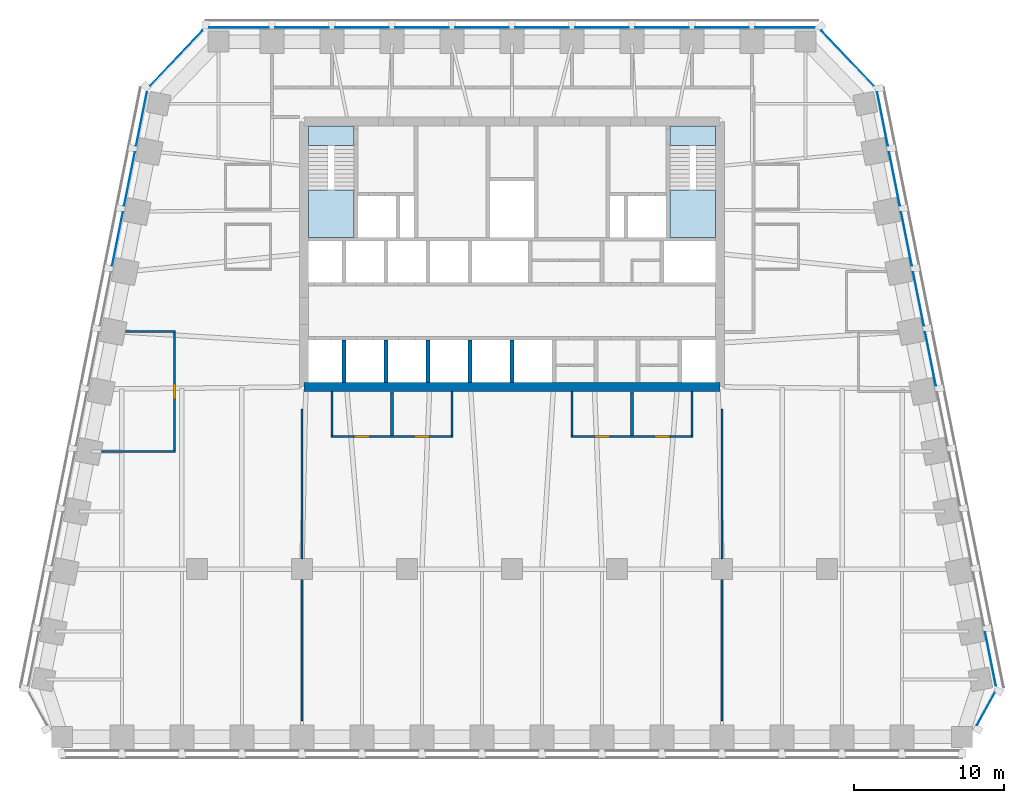
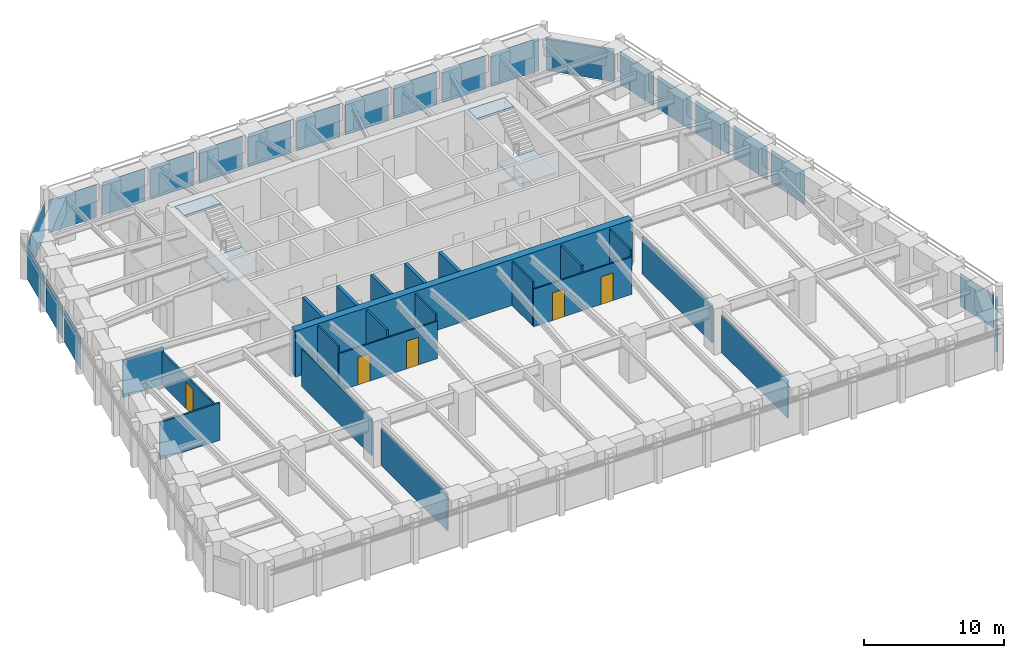
# One storey, part 5 of 10: 22 plates, 21 walls, 5 doors, 4 slabs, 5 openings, 8 elements without a shape of their own.
"""IFC4 building model written with IfcOpenShell, lengths in metres."""

from ifc_helpers import new_model, si_unit, direction, frame, frame_2d, origin, origin_2d, place, context, subcontext, project, spatial, polyline, rectangle, outline, extrude, material, layer, layer_set, type_object, element, fill, aggregate, save


model = new_model("IFC4")

# Units and contexts
model_context = context("Model", 3, precision=1e-05, world=origin(), true_north=direction((0.0, 1.0)))
body_context = subcontext(model_context, "Body", "Model", "MODEL_VIEW")
ifc_project = project(units=[si_unit("LENGTHUNIT", "METRE"), si_unit("AREAUNIT", "SQUARE_METRE"), si_unit("VOLUMEUNIT", "CUBIC_METRE"), si_unit("PLANEANGLEUNIT", "RADIAN"), si_unit("MASSUNIT", "GRAM", prefix="KILO")], contexts=[model_context])

# Site, building, storey
site_placement = place(None, origin())
site = spatial("IfcSite", under=ifc_project, at=site_placement, CompositionType="ELEMENT")
building_placement = place(site_placement, origin())
building = spatial("IfcBuilding", under=site, at=building_placement, Name="Isbrekke Arena Tower", CompositionType="ELEMENT")
storey_placement = place(building_placement, frame((0.0, 0.0, 214.0)))
storey = spatial("IfcBuildingStorey", under=building, at=storey_placement, Name="L49", CompositionType="ELEMENT", Elevation=214.0)

# Curtain wall, plate
ifc_material_1 = material(Name="Glazed aluminium curtain wall", Category="aluminium")
curtain_wall_type = type_object("IfcCurtainWallType", Name="CWH TOWER CURTAIN WALL HIGH ZONE", PredefinedType="USERDEFINED", material=ifc_material_1)
curtain_wall_1_placement = place(storey_placement, origin())
curtain_wall_1 = element("IfcCurtainWall", 1, at=curtain_wall_1_placement, inside=storey, type_object=curtain_wall_type, Name="CWH curtain wall L49-SE", ObjectType="TOWER CURTAIN WALL HIGH ZONE", PredefinedType="USERDEFINED")
ifc_material_2 = material(Name="Triple-glazed clear glass unit", Category="glass")
ifc_layer_1 = layer(ifc_material_2, 0.031982421875)
ifc_layer_set_1 = layer_set([ifc_layer_1], Name="CWH-P VISION PANEL")
plate_type = type_object("IfcPlateType", Name="CWH-P VISION PANEL", PredefinedType="CURTAIN_PANEL", material=ifc_layer_set_1)
plate_1_placement = place(storey_placement, frame((31.5908203125, -15.3154296875, 0.02001953125), z_axis=(0.0, 0.0, 1.0), x_axis=(0.481918749773, 0.876215908676, 0.0)))
plate_1 = element("IfcPlate", 2, at=plate_1_placement, type_object=plate_type, Name="CWH-P panel 1", PredefinedType="CURTAIN_PANEL", context=body_context, shape_type="SweptSolid", body=[
    extrude(rectangle(XDim=2.4423828125, YDim=0.031982421875, at=origin_2d()), origin(), (0.0, 0.0, 1.0), 2.8798828125),
])
aggregate(curtain_wall_1, [plate_1])

# Curtain wall, plates
curtain_wall_2_placement = place(storey_placement, origin())
curtain_wall_2 = element("IfcCurtainWall", 3, at=curtain_wall_2_placement, inside=storey, type_object=curtain_wall_type, Name="CWH curtain wall L49-E", ObjectType="TOWER CURTAIN WALL HIGH ZONE", PredefinedType="USERDEFINED")
plate_2_placement = place(storey_placement, frame((31.89794921875, -11.98046875, 0.02001953125), z_axis=(0.0, 0.0, 1.0), x_axis=(-0.196116135138, 0.980580675691, 0.0)))
plate_2 = element("IfcPlate", 4, at=plate_2_placement, type_object=plate_type, Name="CWH-P panel 1", PredefinedType="CURTAIN_PANEL", context=body_context, shape_type="SweptSolid", body=[
    extrude(rectangle(XDim=3.629150390625, YDim=0.031982421875, at=origin_2d()), origin(), (0.0, 0.0, 1.0), 2.8798828125),
])
plate_3_placement = place(storey_placement, frame((27.89794921875, 8.01953125, 0.02001953125), z_axis=(0.0, 0.0, 1.0), x_axis=(-0.196116135138, 0.980580675691, 0.0)))
plate_3 = element("IfcPlate", 5, at=plate_3_placement, type_object=plate_type, Name="CWH-P panel 6", PredefinedType="CURTAIN_PANEL", context=body_context, shape_type="SweptSolid", body=[
    extrude(rectangle(XDim=3.629150390625, YDim=0.031982421875, at=origin_2d()), origin(), (0.0, 0.0, 1.0), 2.8798828125),
])
plate_4_placement = place(storey_placement, frame((27.09814453125, 12.01953125, 0.02001953125), z_axis=(0.0, 0.0, 1.0), x_axis=(-0.196116135138, 0.980580675691, 0.0)))
plate_4 = element("IfcPlate", 6, at=plate_4_placement, type_object=plate_type, Name="CWH-P panel 7", PredefinedType="CURTAIN_PANEL", context=body_context, shape_type="SweptSolid", body=[
    extrude(rectangle(XDim=3.629150390625, YDim=0.031982421875, at=origin_2d()), origin(), (0.0, 0.0, 1.0), 2.8798828125),
])
plate_5_placement = place(storey_placement, frame((26.298095703125, 16.01953125, 0.02001953125), z_axis=(0.0, 0.0, 1.0), x_axis=(-0.196116135138, 0.980580675691, 0.0)))
plate_5 = element("IfcPlate", 7, at=plate_5_placement, type_object=plate_type, Name="CWH-P panel 8", PredefinedType="CURTAIN_PANEL", context=body_context, shape_type="SweptSolid", body=[
    extrude(rectangle(XDim=3.629150390625, YDim=0.031982421875, at=origin_2d()), origin(), (0.0, 0.0, 1.0), 2.8798828125),
])
plate_6_placement = place(storey_placement, frame((25.498046875, 20.01953125, 0.02001953125), z_axis=(0.0, 0.0, 1.0), x_axis=(-0.196116135138, 0.980580675691, 0.0)))
plate_6 = element("IfcPlate", 8, at=plate_6_placement, type_object=plate_type, Name="CWH-P panel 9", PredefinedType="CURTAIN_PANEL", context=body_context, shape_type="SweptSolid", body=[
    extrude(rectangle(XDim=3.629150390625, YDim=0.031982421875, at=origin_2d()), origin(), (0.0, 0.0, 1.0), 2.8798828125),
])
plate_7_placement = place(storey_placement, frame((24.697998046875, 24.01953125, 0.02001953125), z_axis=(0.0, 0.0, 1.0), x_axis=(-0.196116135138, 0.980580675691, 0.0)))
plate_7 = element("IfcPlate", 9, at=plate_7_placement, type_object=plate_type, Name="CWH-P panel 10", PredefinedType="CURTAIN_PANEL", context=body_context, shape_type="SweptSolid", body=[
    extrude(rectangle(XDim=3.629150390625, YDim=0.031982421875, at=origin_2d()), origin(), (0.0, 0.0, 1.0), 2.8798828125),
])
aggregate(curtain_wall_2, [plate_2, plate_3, plate_4, plate_5, plate_6, plate_7])

# Curtain wall, plate
curtain_wall_3_placement = place(storey_placement, origin())
curtain_wall_3 = element("IfcCurtainWall", 10, at=curtain_wall_3_placement, inside=storey, type_object=curtain_wall_type, Name="CWH curtain wall L49-EN", ObjectType="TOWER CURTAIN WALL HIGH ZONE", PredefinedType="USERDEFINED")
plate_8_placement = place(storey_placement, frame((22.37255859375, 28.06884765625, 0.02001953125), z_axis=(0.0, 0.0, 1.0), x_axis=(-0.68874946192, 0.72499943359, 0.0)))
plate_8 = element("IfcPlate", 11, at=plate_8_placement, type_object=plate_type, Name="CWH-P panel 1", PredefinedType="CURTAIN_PANEL", context=body_context, shape_type="SweptSolid", body=[
    extrude(rectangle(XDim=5.067138671875, YDim=0.031982421875, at=origin_2d()), origin(), (0.0, 0.0, 1.0), 2.8798828125),
])
aggregate(curtain_wall_3, [plate_8])

# Curtain wall, plates
curtain_wall_4_placement = place(storey_placement, origin())
curtain_wall_4 = element("IfcCurtainWall", 12, at=curtain_wall_4_placement, inside=storey, type_object=curtain_wall_type, Name="CWH curtain wall L49-N", ObjectType="TOWER CURTAIN WALL HIGH ZONE", PredefinedType="USERDEFINED")
plate_9_placement = place(storey_placement, frame((18.199951171875, 30.10009765625, 0.02001953125), z_axis=(0.0, 0.0, 1.0), x_axis=(-1.0, 0.0, 0.0)))
plate_9 = element("IfcPlate", 13, at=plate_9_placement, type_object=plate_type, Name="CWH-P panel 1", PredefinedType="CURTAIN_PANEL", context=body_context, shape_type="SweptSolid", body=[
    extrude(rectangle(XDim=3.949951171875, YDim=0.031982421875, at=origin_2d()), origin(), (0.0, 0.0, 1.0), 2.8798828125),
])
plate_10_placement = place(storey_placement, frame((14.0, 30.10009765625, 0.02001953125), z_axis=(0.0, 0.0, 1.0), x_axis=(-1.0, 0.0, 0.0)))
plate_10 = element("IfcPlate", 14, at=plate_10_placement, type_object=plate_type, Name="CWH-P panel 2", PredefinedType="CURTAIN_PANEL", context=body_context, shape_type="SweptSolid", body=[
    extrude(rectangle(XDim=3.550048828125, YDim=0.031982421875, at=origin_2d()), origin(), (0.0, 0.0, 1.0), 2.8798828125),
])
plate_11_placement = place(storey_placement, frame((10.0, 30.10009765625, 0.02001953125), z_axis=(0.0, 0.0, 1.0), x_axis=(-1.0, 0.0, 0.0)))
plate_11 = element("IfcPlate", 15, at=plate_11_placement, type_object=plate_type, Name="CWH-P panel 3", PredefinedType="CURTAIN_PANEL", context=body_context, shape_type="SweptSolid", body=[
    extrude(rectangle(XDim=3.550048828125, YDim=0.031982421875, at=origin_2d()), origin(), (0.0, 0.0, 1.0), 2.8798828125),
])
plate_12_placement = place(storey_placement, frame((6.0, 30.10009765625, 0.02001953125), z_axis=(0.0, 0.0, 1.0), x_axis=(-1.0, 0.0, 0.0)))
plate_12 = element("IfcPlate", 16, at=plate_12_placement, type_object=plate_type, Name="CWH-P panel 4", PredefinedType="CURTAIN_PANEL", context=body_context, shape_type="SweptSolid", body=[
    extrude(rectangle(XDim=3.550048828125, YDim=0.031982421875, at=origin_2d()), origin(), (0.0, 0.0, 1.0), 2.8798828125),
])
plate_13_placement = place(storey_placement, frame((2.0, 30.10009765625, 0.02001953125), z_axis=(0.0, 0.0, 1.0), x_axis=(-1.0, 0.0, 0.0)))
plate_13 = element("IfcPlate", 17, at=plate_13_placement, type_object=plate_type, Name="CWH-P panel 5", PredefinedType="CURTAIN_PANEL", context=body_context, shape_type="SweptSolid", body=[
    extrude(rectangle(XDim=3.550048828125, YDim=0.031982421875, at=origin_2d()), origin(), (0.0, 0.0, 1.0), 2.8798828125),
])
plate_14_placement = place(storey_placement, frame((-2.0, 30.10009765625, 0.02001953125), z_axis=(0.0, 0.0, 1.0), x_axis=(-1.0, 0.0, 0.0)))
plate_14 = element("IfcPlate", 18, at=plate_14_placement, type_object=plate_type, Name="CWH-P panel 6", PredefinedType="CURTAIN_PANEL", context=body_context, shape_type="SweptSolid", body=[
    extrude(rectangle(XDim=3.550048828125, YDim=0.031982421875, at=origin_2d()), origin(), (0.0, 0.0, 1.0), 2.8798828125),
])
plate_15_placement = place(storey_placement, frame((-6.0, 30.10009765625, 0.02001953125), z_axis=(0.0, 0.0, 1.0), x_axis=(-1.0, 0.0, 0.0)))
plate_15 = element("IfcPlate", 19, at=plate_15_placement, type_object=plate_type, Name="CWH-P panel 7", PredefinedType="CURTAIN_PANEL", context=body_context, shape_type="SweptSolid", body=[
    extrude(rectangle(XDim=3.550048828125, YDim=0.031982421875, at=origin_2d()), origin(), (0.0, 0.0, 1.0), 2.8798828125),
])
plate_16_placement = place(storey_placement, frame((-10.0, 30.10009765625, 0.02001953125), z_axis=(0.0, 0.0, 1.0), x_axis=(-1.0, 0.0, 0.0)))
plate_16 = element("IfcPlate", 20, at=plate_16_placement, type_object=plate_type, Name="CWH-P panel 8", PredefinedType="CURTAIN_PANEL", context=body_context, shape_type="SweptSolid", body=[
    extrude(rectangle(XDim=3.550048828125, YDim=0.031982421875, at=origin_2d()), origin(), (0.0, 0.0, 1.0), 2.8798828125),
])
plate_17_placement = place(storey_placement, frame((-14.0, 30.10009765625, 0.02001953125), z_axis=(0.0, 0.0, 1.0), x_axis=(-1.0, 0.0, 0.0)))
plate_17 = element("IfcPlate", 21, at=plate_17_placement, type_object=plate_type, Name="CWH-P panel 9", PredefinedType="CURTAIN_PANEL", context=body_context, shape_type="SweptSolid", body=[
    extrude(rectangle(XDim=3.550048828125, YDim=0.031982421875, at=origin_2d()), origin(), (0.0, 0.0, 1.0), 2.8798828125),
])
plate_18_placement = place(storey_placement, frame((-18.199951171875, 30.10009765625, 0.02001953125), z_axis=(0.0, 0.0, 1.0), x_axis=(-1.0, 0.0, 0.0)))
plate_18 = element("IfcPlate", 22, at=plate_18_placement, type_object=plate_type, Name="CWH-P panel 10", PredefinedType="CURTAIN_PANEL", context=body_context, shape_type="SweptSolid", body=[
    extrude(rectangle(XDim=3.949951171875, YDim=0.031982421875, at=origin_2d()), origin(), (0.0, 0.0, 1.0), 2.8798828125),
])
aggregate(curtain_wall_4, [plate_9, plate_10, plate_11, plate_12, plate_13, plate_14, plate_15, plate_16, plate_17, plate_18])

# Curtain wall, plate
curtain_wall_5_placement = place(storey_placement, origin())
curtain_wall_5 = element("IfcCurtainWall", 23, at=curtain_wall_5_placement, inside=storey, type_object=curtain_wall_type, Name="CWH curtain wall L49-NW", ObjectType="TOWER CURTAIN WALL HIGH ZONE", PredefinedType="USERDEFINED")
plate_19_placement = place(storey_placement, frame((-22.37255859375, 28.06884765625, 0.02001953125), z_axis=(0.0, 0.0, 1.0), x_axis=(-0.68874946192, -0.72499943359, 0.0)))
plate_19 = element("IfcPlate", 24, at=plate_19_placement, type_object=plate_type, Name="CWH-P panel 1", PredefinedType="CURTAIN_PANEL", context=body_context, shape_type="SweptSolid", body=[
    extrude(rectangle(XDim=5.067138671875, YDim=0.031982421875, at=origin_2d()), origin(), (0.0, 0.0, 1.0), 2.8798828125),
])
aggregate(curtain_wall_5, [plate_19])

# Curtain wall, plates
curtain_wall_6_placement = place(storey_placement, origin())
curtain_wall_6 = element("IfcCurtainWall", 25, at=curtain_wall_6_placement, inside=storey, type_object=curtain_wall_type, Name="CWH curtain wall L49-W", ObjectType="TOWER CURTAIN WALL HIGH ZONE", PredefinedType="USERDEFINED")
plate_20_placement = place(storey_placement, frame((-24.697998046875, 24.01953125, 0.02001953125), z_axis=(0.0, 0.0, 1.0), x_axis=(-0.196116135138, -0.980580675691, 0.0)))
plate_20 = element("IfcPlate", 26, at=plate_20_placement, type_object=plate_type, Name="CWH-P panel 1", PredefinedType="CURTAIN_PANEL", context=body_context, shape_type="SweptSolid", body=[
    extrude(rectangle(XDim=3.629150390625, YDim=0.031982421875, at=origin_2d()), origin(), (0.0, 0.0, 1.0), 2.8798828125),
])
plate_21_placement = place(storey_placement, frame((-25.498046875, 20.01953125, 0.02001953125), z_axis=(0.0, 0.0, 1.0), x_axis=(-0.196116135138, -0.980580675691, 0.0)))
plate_21 = element("IfcPlate", 27, at=plate_21_placement, type_object=plate_type, Name="CWH-P panel 2", PredefinedType="CURTAIN_PANEL", context=body_context, shape_type="SweptSolid", body=[
    extrude(rectangle(XDim=3.629150390625, YDim=0.031982421875, at=origin_2d()), origin(), (0.0, 0.0, 1.0), 2.8798828125),
])
plate_22_placement = place(storey_placement, frame((-26.298095703125, 16.01953125, 0.02001953125), z_axis=(0.0, 0.0, 1.0), x_axis=(-0.196116135138, -0.980580675691, 0.0)))
plate_22 = element("IfcPlate", 28, at=plate_22_placement, type_object=plate_type, Name="CWH-P panel 3", PredefinedType="CURTAIN_PANEL", context=body_context, shape_type="SweptSolid", body=[
    extrude(rectangle(XDim=3.629150390625, YDim=0.031982421875, at=origin_2d()), origin(), (0.0, 0.0, 1.0), 2.8798828125),
])
aggregate(curtain_wall_6, [plate_20, plate_21, plate_22])

# Stair, slabs
ifc_material_3 = material(Name="Concrete B45 (C45/55) precast", Category="concrete")
stair_type = type_object("IfcStairType", Name="ST40 STAIR 1300 WIDE, 24 RISERS 167", PredefinedType="HALF_TURN_STAIR", material=ifc_material_3)
stair_1_placement = place(storey_placement, origin())
stair_1 = element("IfcStair", 29, at=stair_1_placement, inside=storey, type_object=stair_type, Name="ST1 stair L49", PredefinedType="HALF_TURN_STAIR")
ifc_material_4 = material(Name="Concrete B35 (C35/45)", Category="concrete")
ifc_layer_2 = layer(ifc_material_4, 0.199951171875)
ifc_layer_set_2 = layer_set([ifc_layer_2], Name="SL1 STAIR LANDING 200")
slab_type = type_object("IfcSlabType", Name="SL1 STAIR LANDING 200", PredefinedType="LANDING", material=ifc_layer_set_2)
slab_1_placement = place(storey_placement, frame((0.0, 0.0, 1.800048828125)))
slab_1 = element("IfcSlab", 30, at=slab_1_placement, type_object=slab_type, Name="ST1 landing 1", PredefinedType="LANDING", context=body_context, shape_type="SweptSolid", body=[
    extrude(outline(polyline([(-13.550048828125, 16.125), (-10.52490234375, 16.125), (-10.52490234375, 19.280029296875), (-13.550048828125, 19.280029296875), (-13.550048828125, 16.125)])), origin(), (0.0, 0.0, 1.0), 0.199951171875),
])
slab_2_placement = place(storey_placement, frame((0.0, 0.0, 3.800048828125)))
slab_2 = element("IfcSlab", 31, at=slab_2_placement, type_object=slab_type, Name="ST1 landing 2", PredefinedType="LANDING", context=body_context, shape_type="SweptSolid", body=[
    extrude(outline(polyline([(-13.550048828125, 22.25), (-10.52490234375, 22.25), (-10.52490234375, 23.550048828125), (-13.550048828125, 23.550048828125), (-13.550048828125, 22.25)])), origin(), (0.0, 0.0, 1.0), 0.199951171875),
])
aggregate(stair_1, [slab_1, slab_2])

stair_2_placement = place(storey_placement, origin())
stair_2 = element("IfcStair", 32, at=stair_2_placement, inside=storey, type_object=stair_type, Name="ST2 stair L49", PredefinedType="HALF_TURN_STAIR")
slab_3_placement = place(storey_placement, frame((0.0, 0.0, 1.800048828125)))
slab_3 = element("IfcSlab", 33, at=slab_3_placement, type_object=slab_type, Name="ST2 landing 1", PredefinedType="LANDING", context=body_context, shape_type="SweptSolid", body=[
    extrude(outline(polyline([(10.52490234375, 16.125), (13.550048828125, 16.125), (13.550048828125, 19.280029296875), (10.52490234375, 19.280029296875), (10.52490234375, 16.125)])), origin(), (0.0, 0.0, 1.0), 0.199951171875),
])
slab_4_placement = place(storey_placement, frame((0.0, 0.0, 3.800048828125)))
slab_4 = element("IfcSlab", 34, at=slab_4_placement, type_object=slab_type, Name="ST2 landing 2", PredefinedType="LANDING", context=body_context, shape_type="SweptSolid", body=[
    extrude(outline(polyline([(10.52490234375, 22.25), (13.550048828125, 22.25), (13.550048828125, 23.550048828125), (10.52490234375, 23.550048828125), (10.52490234375, 22.25)])), origin(), (0.0, 0.0, 1.0), 0.199951171875),
])
aggregate(stair_2, [slab_3, slab_4])

# Walls
ifc_material_5 = material(Name="Concrete B55 (C55/67)", Category="concrete")
ifc_layer_3 = layer(ifc_material_5, 0.60009765625)
ifc_layer_set_3 = layer_set([ifc_layer_3], Name="CW4 CORE WALL 600")
wall_type_1 = type_object("IfcWallType", Name="CW4 CORE WALL 600", PredefinedType="SHEAR", material=ifc_layer_set_3)
wall_1_placement = place(storey_placement, frame((-13.85009765625, 6.14990234375, 0.0), z_axis=(0.0, 0.0, 1.0), x_axis=(1.0, 0.0, 0.0)))
element("IfcWall", 35, at=wall_1_placement, inside=storey, type_object=wall_type_1, Name="Core wall S L49", PredefinedType="SHEAR", context=body_context, shape_type="SweptSolid", body=[
    extrude(rectangle(XDim=27.7001953125, YDim=0.60009765625, at=frame_2d((13.85009765625, 0.0))), origin(), (0.0, 0.0, 1.0), 4.0),
])
ifc_material_6 = material(Name="Concrete B45 (C45/55)", Category="concrete")
ifc_layer_4 = layer(ifc_material_6, 0.25)
ifc_layer_set_4 = layer_set([ifc_layer_4], Name="CW6 SHAFT WALL 250")
wall_type_2 = type_object("IfcWallType", Name="CW6 SHAFT WALL 250", PredefinedType="SHEAR", material=ifc_layer_set_4)
for number, where, z_axis, x_axis, name in (
    (36, (-11.199951171875, 6.449951171875, 0.0), (0.0, 0.0, 1.0), (0.0, 1.0, 0.0), "Core wall SS01 L49"),
    (37, (-8.39990234375, 6.449951171875, 0.0), (0.0, 0.0, 1.0), (0.0, 1.0, 0.0), "Core wall SS02 L49"),
    (38, (-5.60009765625, 6.449951171875, 0.0), (0.0, 0.0, 1.0), (0.0, 1.0, 0.0), "Core wall SS03 L49"),
    (39, (-2.800048828125, 6.449951171875, 0.0), (0.0, 0.0, 1.0), (0.0, 1.0, 0.0), "Core wall SS04 L49"),
    (40, (0.0, 6.449951171875, 0.0), (0.0, 0.0, 1.0), (0.0, 1.0, 0.0), "Core wall SS05 L49"),
):
    element("IfcWall", number, at=place(storey_placement, frame(where, z_axis=z_axis, x_axis=x_axis)), inside=storey, type_object=wall_type_2, Name=name, PredefinedType="SHEAR", context=body_context, shape_type="SweptSolid", body=[
        extrude(rectangle(XDim=2.824951171875, YDim=0.25, at=frame_2d((1.41259765625, 0.0))), origin(), (0.0, 0.0, 1.0), 4.0),
    ])
ifc_material_7 = material(Name="Gypsum board partition on steel studs", Category="steel")
ifc_layer_5 = layer(ifc_material_7, 0.14990234375)
ifc_layer_set_5 = layer_set([ifc_layer_5], Name="IW1 PARTITION 150")
wall_type_3 = type_object("IfcWallType", Name="IW1 PARTITION 150", PredefinedType="PARTITIONING", material=ifc_layer_set_5)
wall_2_placement = place(storey_placement, frame((-27.374755859375, 1.840087890625, 0.0), z_axis=(0.0, 0.0, 1.0), x_axis=(1.0, 0.0, 0.0)))
element("IfcWall", 41, at=wall_2_placement, inside=storey, type_object=wall_type_3, Name="IW1 partition 150 L49", PredefinedType="PARTITIONING", context=body_context, shape_type="SweptSolid", body=[
    extrude(rectangle(XDim=4.94970703125, YDim=0.14990234375, at=frame_2d((2.474853515625, 0.0))), origin(), (0.0, 0.0, 1.0), 3.25),
])
wall_3_placement = place(storey_placement, frame((-25.77490234375, 9.840087890625, 0.0), z_axis=(0.0, 0.0, 1.0), x_axis=(1.0, 0.0, 0.0)))
element("IfcWall", 42, at=wall_3_placement, inside=storey, type_object=wall_type_3, Name="IW1 partition 150 L49", PredefinedType="PARTITIONING", context=body_context, shape_type="SweptSolid", body=[
    extrude(rectangle(XDim=3.349853515625, YDim=0.14990234375, at=frame_2d((1.6748046875, 0.0))), origin(), (0.0, 0.0, 1.0), 3.25),
])

# Wall, opening, door
wall_4_placement = place(storey_placement, frame((-22.5, 1.9150390625, 0.0), z_axis=(0.0, 0.0, 1.0), x_axis=(0.0, 1.0, 0.0)))
wall_4 = element("IfcWall", 43, at=wall_4_placement, inside=storey, type_object=wall_type_3, Name="IW1 partition 150 L49", PredefinedType="PARTITIONING", context=body_context, shape_type="SweptSolid", body=[
    extrude(rectangle(XDim=7.849853515625, YDim=0.14990234375, at=frame_2d((3.9248046875, 0.0))), origin(), (0.0, 0.0, 1.0), 2.842041015625),
])
opening_1_placement = place(wall_4_placement, frame((3.425048828125, 0.0, 0.0)))
opening_1 = element("IfcOpeningElement", 44, at=opening_1_placement, cuts=wall_4, Name="Opening D10", PredefinedType="OPENING", context=body_context, shape_type="SweptSolid", body=[
    extrude(rectangle(XDim=1.0, YDim=2.300048828125, at=frame_2d((0.5, 1.14990234375))), frame((0.0, 0.08984375, 0.0), z_axis=(0.0, -1.0, 0.0), x_axis=(1.0, 0.0, 0.0)), (0.0, 0.0, 1.0), 0.1796875),
])
ifc_material_8 = material(Name="Timber door", Category="wood")
door_type_1 = type_object("IfcDoorType", Name="D10 OFFICE DOOR 1000 x 2300", OperationType="SINGLE_SWING_LEFT", PredefinedType="DOOR", material=ifc_material_8)
door_1_placement = place(opening_1_placement, origin())
door_1 = element("IfcDoor", 45, at=door_1_placement, inside=storey, type_object=door_type_1, Name="D10 pantry door L49", OperationType="SINGLE_SWING_LEFT", OverallHeight=2.300048828125, OverallWidth=1.0, PredefinedType="DOOR", context=body_context, shape_type="SweptSolid", body=[
    extrude(rectangle(XDim=1.0, YDim=2.300048828125, at=frame_2d((0.5, 1.14990234375))), frame((0.0, 0.07470703125, 0.0), z_axis=(0.0, -1.0, 0.0), x_axis=(1.0, 0.0, 0.0)), (0.0, 0.0, 1.0), 0.1494140625),
])
fill(opening_1, door_1)

# Wall, openings, doors
ifc_material_9 = material(Name="Frameless glazed partition, laminated acoustic glass", Category="glass")
ifc_layer_6 = layer(ifc_material_9, 0.1201171875)
ifc_layer_set_6 = layer_set([ifc_layer_6], Name="IW2 GLAZED PARTITION 120")
wall_type_4 = type_object("IfcWallType", Name="IW2 GLAZED PARTITION 120", PredefinedType="PARTITIONING", material=ifc_layer_set_6)
wall_5_placement = place(storey_placement, frame((-12.06005859375, 2.85009765625, 0.0), z_axis=(0.0, 0.0, 1.0), x_axis=(1.0, 0.0, 0.0)))
wall_5 = element("IfcWall", 46, at=wall_5_placement, inside=storey, type_object=wall_type_4, Name="IW2 glazed partition 120 L49", PredefinedType="PARTITIONING", context=body_context, shape_type="SweptSolid", body=[
    extrude(rectangle(XDim=8.1201171875, YDim=0.1201171875, at=frame_2d((4.06005859375, 0.0))), origin(), (0.0, 0.0, 1.0), 3.25),
])
opening_2_placement = place(wall_5_placement, frame((1.56005859375, 0.0, 0.0)))
opening_2 = element("IfcOpeningElement", 47, at=opening_2_placement, cuts=wall_5, Name="Opening D11", PredefinedType="OPENING", context=body_context, shape_type="SweptSolid", body=[
    extrude(rectangle(XDim=1.0, YDim=2.39990234375, at=frame_2d((0.5, 1.199951171875))), frame((0.0, 0.074951171875, 0.0), z_axis=(0.0, -1.0, 0.0), x_axis=(1.0, 0.0, 0.0)), (0.0, 0.0, 1.0), 0.14990234375),
])
opening_3_placement = place(wall_5_placement, frame((5.56005859375, 0.0, 0.0)))
opening_3 = element("IfcOpeningElement", 48, at=opening_3_placement, cuts=wall_5, Name="Opening D11", PredefinedType="OPENING", context=body_context, shape_type="SweptSolid", body=[
    extrude(rectangle(XDim=1.0, YDim=2.39990234375, at=frame_2d((0.5, 1.199951171875))), frame((0.0, 0.074951171875, 0.0), z_axis=(0.0, -1.0, 0.0), x_axis=(1.0, 0.0, 0.0)), (0.0, 0.0, 1.0), 0.14990234375),
])
ifc_material_10 = material(Name="Frameless glazed door", Category="glass")
door_type_2 = type_object("IfcDoorType", Name="D11 GLAZED MEETING ROOM DOOR 1000 x 2400", OperationType="SINGLE_SWING_RIGHT", PredefinedType="DOOR", material=ifc_material_10)
door_2_placement = place(opening_2_placement, origin())
door_2 = element("IfcDoor", 49, at=door_2_placement, inside=storey, type_object=door_type_2, Name="D11 quiet room door L49", OperationType="SINGLE_SWING_RIGHT", OverallHeight=2.39990234375, OverallWidth=1.0, PredefinedType="DOOR", context=body_context, shape_type="SweptSolid", body=[
    extrude(rectangle(XDim=1.0, YDim=2.39990234375, at=frame_2d((0.5, 1.199951171875))), frame((0.0, 0.059814453125, 0.0), z_axis=(0.0, -1.0, 0.0), x_axis=(1.0, 0.0, 0.0)), (0.0, 0.0, 1.0), 0.11962890625),
])
fill(opening_2, door_2)
door_3_placement = place(opening_3_placement, origin())
door_3 = element("IfcDoor", 50, at=door_3_placement, inside=storey, type_object=door_type_2, Name="D11 quiet room door L49", OperationType="SINGLE_SWING_RIGHT", OverallHeight=2.39990234375, OverallWidth=1.0, PredefinedType="DOOR", context=body_context, shape_type="SweptSolid", body=[
    extrude(rectangle(XDim=1.0, YDim=2.39990234375, at=frame_2d((0.5, 1.199951171875))), frame((0.0, 0.059814453125, 0.0), z_axis=(0.0, -1.0, 0.0), x_axis=(1.0, 0.0, 0.0)), (0.0, 0.0, 1.0), 0.11962890625),
])
fill(opening_3, door_3)

wall_6_placement = place(storey_placement, frame((3.93994140625, 2.85009765625, 0.0), z_axis=(0.0, 0.0, 1.0), x_axis=(1.0, 0.0, 0.0)))
wall_6 = element("IfcWall", 51, at=wall_6_placement, inside=storey, type_object=wall_type_4, Name="IW2 glazed partition 120 L49", PredefinedType="PARTITIONING", context=body_context, shape_type="SweptSolid", body=[
    extrude(rectangle(XDim=8.1201171875, YDim=0.1201171875, at=frame_2d((4.06005859375, 0.0))), origin(), (0.0, 0.0, 1.0), 3.25),
])
opening_4_placement = place(wall_6_placement, frame((1.56005859375, 0.0, 0.0)))
opening_4 = element("IfcOpeningElement", 52, at=opening_4_placement, cuts=wall_6, Name="Opening D11", PredefinedType="OPENING", context=body_context, shape_type="SweptSolid", body=[
    extrude(rectangle(XDim=1.0, YDim=2.39990234375, at=frame_2d((0.5, 1.199951171875))), frame((0.0, 0.074951171875, 0.0), z_axis=(0.0, -1.0, 0.0), x_axis=(1.0, 0.0, 0.0)), (0.0, 0.0, 1.0), 0.14990234375),
])
opening_5_placement = place(wall_6_placement, frame((5.56005859375, 0.0, 0.0)))
opening_5 = element("IfcOpeningElement", 53, at=opening_5_placement, cuts=wall_6, Name="Opening D11", PredefinedType="OPENING", context=body_context, shape_type="SweptSolid", body=[
    extrude(rectangle(XDim=1.0, YDim=2.39990234375, at=frame_2d((0.5, 1.199951171875))), frame((0.0, 0.074951171875, 0.0), z_axis=(0.0, -1.0, 0.0), x_axis=(1.0, 0.0, 0.0)), (0.0, 0.0, 1.0), 0.14990234375),
])
door_4_placement = place(opening_4_placement, origin())
door_4 = element("IfcDoor", 54, at=door_4_placement, inside=storey, type_object=door_type_2, Name="D11 quiet room door L49", OperationType="SINGLE_SWING_RIGHT", OverallHeight=2.39990234375, OverallWidth=1.0, PredefinedType="DOOR", context=body_context, shape_type="SweptSolid", body=[
    extrude(rectangle(XDim=1.0, YDim=2.39990234375, at=frame_2d((0.5, 1.199951171875))), frame((0.0, 0.059814453125, 0.0), z_axis=(0.0, -1.0, 0.0), x_axis=(1.0, 0.0, 0.0)), (0.0, 0.0, 1.0), 0.11962890625),
])
fill(opening_4, door_4)
door_5_placement = place(opening_5_placement, origin())
door_5 = element("IfcDoor", 55, at=door_5_placement, inside=storey, type_object=door_type_2, Name="D11 quiet room door L49", OperationType="SINGLE_SWING_RIGHT", OverallHeight=2.39990234375, OverallWidth=1.0, PredefinedType="DOOR", context=body_context, shape_type="SweptSolid", body=[
    extrude(rectangle(XDim=1.0, YDim=2.39990234375, at=frame_2d((0.5, 1.199951171875))), frame((0.0, 0.059814453125, 0.0), z_axis=(0.0, -1.0, 0.0), x_axis=(1.0, 0.0, 0.0)), (0.0, 0.0, 1.0), 0.11962890625),
])
fill(opening_5, door_5)

# Walls
for number, where, z_axis, x_axis, name in (
    (56, (-12.0, 2.909912109375, 0.0), (0.0, 0.0, 1.0), (0.0, 1.0, 0.0), "IW2 glazed partition 120 L49"),
    (57, (-4.0, 2.909912109375, 0.0), (0.0, 0.0, 1.0), (0.0, 1.0, 0.0), "IW2 glazed partition 120 L49"),
    (58, (4.0, 2.909912109375, 0.0), (0.0, 0.0, 1.0), (0.0, 1.0, 0.0), "IW2 glazed partition 120 L49"),
    (59, (12.0, 2.909912109375, 0.0), (0.0, 0.0, 1.0), (0.0, 1.0, 0.0), "IW2 glazed partition 120 L49"),
):
    element("IfcWall", number, at=place(storey_placement, frame(where, z_axis=z_axis, x_axis=x_axis)), inside=storey, type_object=wall_type_4, Name=name, PredefinedType="PARTITIONING", context=body_context, shape_type="SweptSolid", body=[
        extrude(rectangle(XDim=2.91015625, YDim=0.1201171875, at=frame_2d((1.455078125, 0.0))), origin(), (0.0, 0.0, 1.0), 3.85009765625),
    ])
wall_7_placement = place(storey_placement, frame((-13.9990234375, -16.10009765625, 0.0), z_axis=(0.0, 0.0, 1.0), x_axis=(0.0, 1.0, 0.0)))
element("IfcWall", 60, at=wall_7_placement, inside=storey, type_object=wall_type_4, Name="IW2 glazed partition 120 L49", PredefinedType="PARTITIONING", context=body_context, shape_type="SweptSolid", body=[
    extrude(rectangle(XDim=9.400146484375, YDim=0.1201171875, at=frame_2d((4.7001953125, 0.0))), origin(), (0.0, 0.0, 1.0), 3.25),
])
wall_8_placement = place(storey_placement, frame((-13.9990234375, -5.300048828125, 0.0), z_axis=(0.0, 0.0, 1.0), x_axis=(0.0, 1.0, 0.0)))
element("IfcWall", 61, at=wall_8_placement, inside=storey, type_object=wall_type_4, Name="IW2 glazed partition 120 L49", PredefinedType="PARTITIONING", context=body_context, shape_type="SweptSolid", body=[
    extrude(rectangle(XDim=9.949951171875, YDim=0.1201171875, at=frame_2d((4.97509765625, 0.0))), origin(), (0.0, 0.0, 1.0), 3.25),
])
wall_9_placement = place(storey_placement, frame((14.0009765625, -16.10009765625, 0.0), z_axis=(0.0, 0.0, 1.0), x_axis=(0.0, 1.0, 0.0)))
element("IfcWall", 62, at=wall_9_placement, inside=storey, type_object=wall_type_4, Name="IW2 glazed partition 120 L49", PredefinedType="PARTITIONING", context=body_context, shape_type="SweptSolid", body=[
    extrude(rectangle(XDim=9.400146484375, YDim=0.1201171875, at=frame_2d((4.7001953125, 0.0))), origin(), (0.0, 0.0, 1.0), 3.25),
])
wall_10_placement = place(storey_placement, frame((14.0009765625, -5.300048828125, 0.0), z_axis=(0.0, 0.0, 1.0), x_axis=(0.0, 1.0, 0.0)))
element("IfcWall", 63, at=wall_10_placement, inside=storey, type_object=wall_type_4, Name="IW2 glazed partition 120 L49", PredefinedType="PARTITIONING", context=body_context, shape_type="SweptSolid", body=[
    extrude(rectangle(XDim=9.949951171875, YDim=0.1201171875, at=frame_2d((4.97509765625, 0.0))), origin(), (0.0, 0.0, 1.0), 3.25),
])
ifc_material_11 = material(Name="Gypsum board acoustic partition on twin steel studs", Category="steel")
ifc_layer_7 = layer(ifc_material_11, 0.175048828125)
ifc_layer_set_7 = layer_set([ifc_layer_7], Name="IW4 ACOUSTIC PARTITION 175")
wall_type_5 = type_object("IfcWallType", Name="IW4 ACOUSTIC PARTITION 175", PredefinedType="PARTITIONING", material=ifc_layer_set_7)
for number, where, z_axis, x_axis, name in (
    (64, (-8.0, 2.909912109375, 0.0), (0.0, 0.0, 1.0), (0.0, 1.0, 0.0), "IW4 acoustic partition 175 L49"),
    (65, (8.0, 2.909912109375, 0.0), (0.0, 0.0, 1.0), (0.0, 1.0, 0.0), "IW4 acoustic partition 175 L49"),
):
    element("IfcWall", number, at=place(storey_placement, frame(where, z_axis=z_axis, x_axis=x_axis)), inside=storey, type_object=wall_type_5, Name=name, PredefinedType="PARTITIONING", context=body_context, shape_type="SweptSolid", body=[
        extrude(rectangle(XDim=2.91015625, YDim=0.175048828125, at=frame_2d((1.455078125, 0.0))), origin(), (0.0, 0.0, 1.0), 3.85009765625),
    ])

save(model, "model.ifc")
